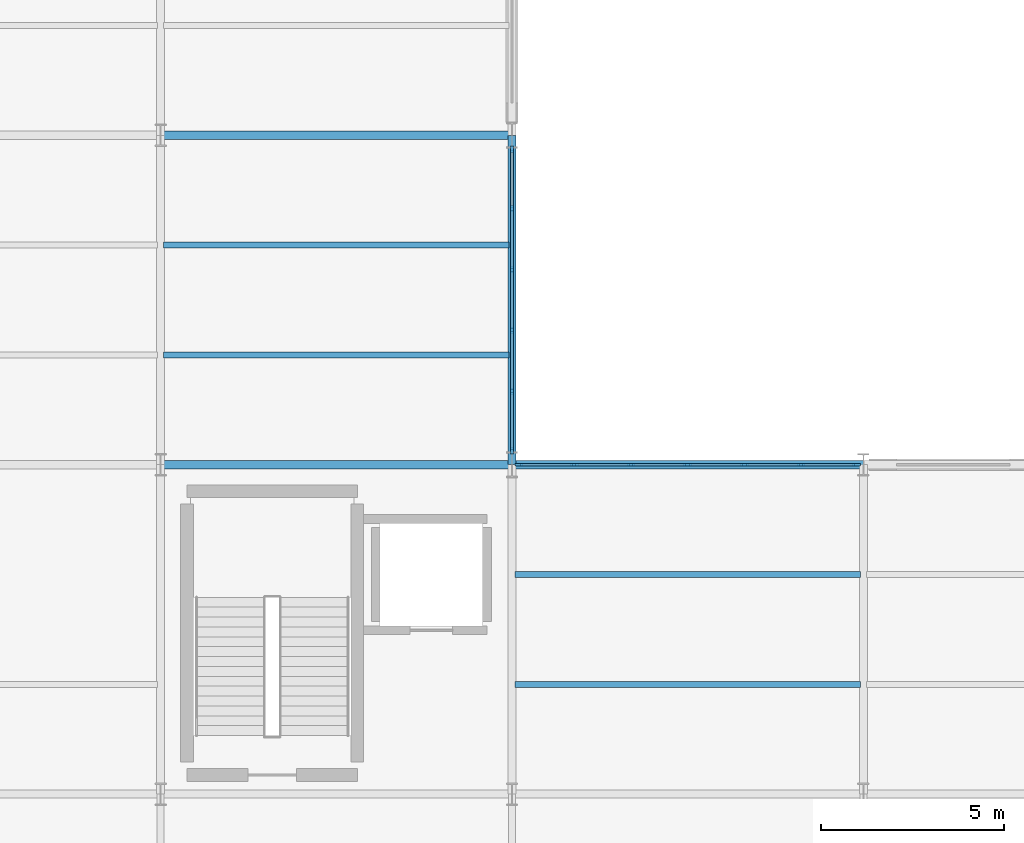
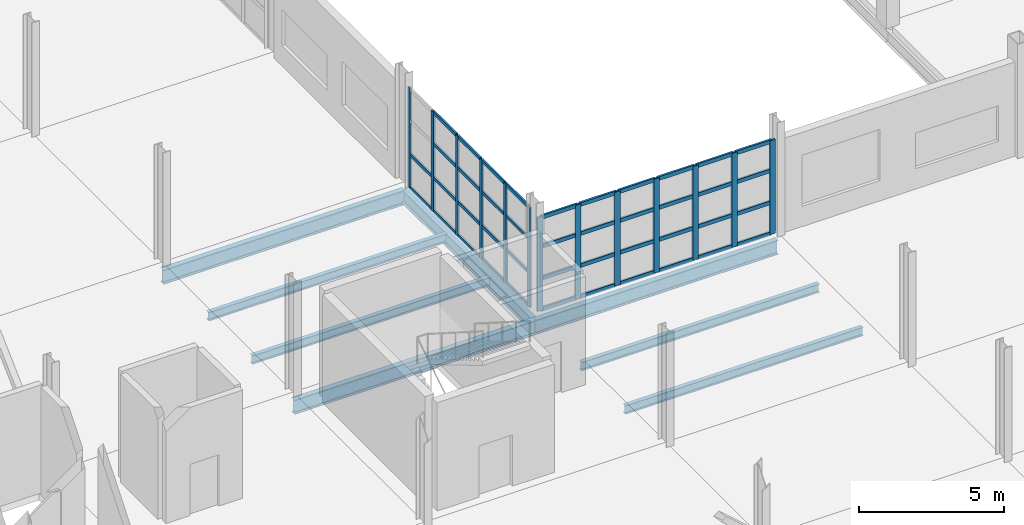
# One storey, part 20 of 120: 55 members, 8 beams, 2 elements without a shape of their own.
"""IFC4 building model written with IfcOpenShell, lengths in metres."""

from ifc_helpers import new_model, si_unit, direction, frame, origin, origin_2d, place, context, subcontext, project, spatial, rectangle, i_section, extrude, material, layer, layer_set, material_profile, profile_set, type_object, element, aggregate, save


model = new_model("IFC4")

# Units and contexts
model_context = context("Model", 3, precision=1e-05, world=origin(), true_north=direction((0.0, 1.0)))
body_context = subcontext(model_context, "Body", "Model", "MODEL_VIEW")
ifc_project = project(units=[si_unit("LENGTHUNIT", "METRE"), si_unit("AREAUNIT", "SQUARE_METRE"), si_unit("VOLUMEUNIT", "CUBIC_METRE"), si_unit("PLANEANGLEUNIT", "RADIAN"), si_unit("MASSUNIT", "GRAM", prefix="KILO")], contexts=[model_context])

# Site, building, storey
site_placement = place(None, origin())
site = spatial("IfcSite", under=ifc_project, at=site_placement, CompositionType="ELEMENT")
building_placement = place(site_placement, origin())
building = spatial("IfcBuilding", under=site, at=building_placement, Name="Zarnetskaya Central Station", CompositionType="ELEMENT")
storey_placement = place(building_placement, frame((0.0, 0.0, 5.39990234375)))
storey = spatial("IfcBuildingStorey", under=building, at=storey_placement, Name="L01", CompositionType="ELEMENT", Elevation=5.39990234375)

# Beams
ifc_material_1 = material(Name="Steel S355", Category="steel")
ifc_material_profile_1 = material_profile(ifc_material_1, i_section(OverallWidth=0.169921875, OverallDepth=0.360107421875, WebThickness=0.008056640625, FlangeThickness=0.0126953125, FilletRadius=0.01806640625, at=origin_2d()), Name="IPE 360")
ifc_profile_set_1 = profile_set([ifc_material_profile_1], Name="Steel S355")
beam_type_1 = type_object("IfcBeamType", Name="BM-SEC-360", PredefinedType="BEAM", material=ifc_profile_set_1)
for number, where, z_axis, x_axis, name in (
    (1, (28.8798828125, 25.199951171875, -0.4599609375), (1.0, 0.0, 0.0), (0.0, 1.0, 0.0), "Secondary floor beam SEC-L01-Z512-DE-45-1"),
    (2, (28.8798828125, 28.199951171875, -0.4599609375), (1.0, 0.0, 0.0), (0.0, 1.0, 0.0), "Secondary floor beam SEC-L01-Z512-DE-45-2"),
):
    element("IfcBeam", number, at=place(storey_placement, frame(where, z_axis=z_axis, x_axis=x_axis)), inside=storey, type_object=beam_type_1, Name=name, PredefinedType="BEAM", context=body_context, shape_type="SweptSolid", body=[
        extrude(i_section(OverallWidth=0.169921875, OverallDepth=0.360107421875, WebThickness=0.008056640625, FlangeThickness=0.0126953125, FilletRadius=0.01806640625, at=origin_2d()), origin(), (0.0, 0.0, 1.0), 9.440185546875),
    ])
for number, where, z_axis, x_axis, name in (
    (3, (38.47998046875, 16.199951171875, -0.4599609375), (1.0, 0.0, 0.0), (0.0, 1.0, 0.0), "Secondary floor beam SEC-L01-Z512-EF-34-1"),
    (4, (38.47998046875, 19.199951171875, -0.4599609375), (1.0, 0.0, 0.0), (0.0, 1.0, 0.0), "Secondary floor beam SEC-L01-Z512-EF-34-2"),
):
    element("IfcBeam", number, at=place(storey_placement, frame(where, z_axis=z_axis, x_axis=x_axis)), inside=storey, type_object=beam_type_1, Name=name, PredefinedType="BEAM", context=body_context, shape_type="SweptSolid", body=[
        extrude(i_section(OverallWidth=0.169921875, OverallDepth=0.360107421875, WebThickness=0.008056640625, FlangeThickness=0.0126953125, FilletRadius=0.01806640625, at=origin_2d()), origin(), (0.0, 0.0, 1.0), 9.43994140625),
    ])

# Curtain wall, members
ifc_material_2 = material(Name="Low-E insulated glass", Category="glass")
ifc_layer_1 = layer(ifc_material_2, 0.1640625, Name="Low-E insulated glass", Category="glass")
ifc_layer_set_1 = layer_set([ifc_layer_1], Name="Low-E insulated glass")
curtain_wall_type_1 = type_object("IfcCurtainWallType", Name="CW-SYS-07", PredefinedType="USERDEFINED", material=ifc_layer_set_1)
curtain_wall_1_placement = place(storey_placement, origin())
curtain_wall_1 = element("IfcCurtainWall", 5, at=curtain_wall_1_placement, inside=storey, type_object=curtain_wall_type_1, Name="Curtain wall CW-L01-009", ObjectType="CURTAIN WALL", PredefinedType="USERDEFINED")
ifc_material_3 = material(Name="Anodised aluminium", Category="aluminium")
ifc_material_profile_2 = material_profile(ifc_material_3, rectangle(XDim=0.070068359375, YDim=0.179931640625, at=origin_2d()), Name="ALU MULL 70x180")
ifc_profile_set_2 = profile_set([ifc_material_profile_2], Name="Anodised aluminium")
member_type_1 = type_object("IfcMemberType", Name="CW-MULL-180", PredefinedType="MULLION", material=ifc_profile_set_2)
member_1_placement = place(storey_placement, frame((38.39990234375, 30.81494140625, 0.0), z_axis=(0.0, 0.0, 1.0), x_axis=(1.0, 0.0, 0.0)))
member_1 = element("IfcMember", 6, at=member_1_placement, type_object=member_type_1, Name="CW-06 mullion 1", PredefinedType="MULLION", context=body_context, shape_type="SweptSolid", body=[
    extrude(rectangle(XDim=0.070068359375, YDim=0.179931640625, at=origin_2d()), origin(), (0.0, 0.0, 1.0), 4.2001953125),
])
member_2_placement = place(storey_placement, frame((38.39990234375, 29.18994140625, 0.0), z_axis=(0.0, 0.0, 1.0), x_axis=(1.0, 0.0, 0.0)))
member_2 = element("IfcMember", 7, at=member_2_placement, type_object=member_type_1, Name="CW-06 mullion 2", PredefinedType="MULLION", context=body_context, shape_type="SweptSolid", body=[
    extrude(rectangle(XDim=0.070068359375, YDim=0.179931640625, at=origin_2d()), origin(), (0.0, 0.0, 1.0), 4.2001953125),
])
member_3_placement = place(storey_placement, frame((38.39990234375, 27.530029296875, 0.0), z_axis=(0.0, 0.0, 1.0), x_axis=(1.0, 0.0, 0.0)))
member_3 = element("IfcMember", 8, at=member_3_placement, type_object=member_type_1, Name="CW-06 mullion 3", PredefinedType="MULLION", context=body_context, shape_type="SweptSolid", body=[
    extrude(rectangle(XDim=0.070068359375, YDim=0.179931640625, at=origin_2d()), origin(), (0.0, 0.0, 1.0), 4.2001953125),
])
member_4_placement = place(storey_placement, frame((38.39990234375, 25.8701171875, 0.0), z_axis=(0.0, 0.0, 1.0), x_axis=(1.0, 0.0, 0.0)))
member_4 = element("IfcMember", 9, at=member_4_placement, type_object=member_type_1, Name="CW-06 mullion 4", PredefinedType="MULLION", context=body_context, shape_type="SweptSolid", body=[
    extrude(rectangle(XDim=0.070068359375, YDim=0.179931640625, at=origin_2d()), origin(), (0.0, 0.0, 1.0), 4.2001953125),
])
member_5_placement = place(storey_placement, frame((38.39990234375, 24.2099609375, 0.0), z_axis=(0.0, 0.0, 1.0), x_axis=(1.0, 0.0, 0.0)))
member_5 = element("IfcMember", 10, at=member_5_placement, type_object=member_type_1, Name="CW-06 mullion 5", PredefinedType="MULLION", context=body_context, shape_type="SweptSolid", body=[
    extrude(rectangle(XDim=0.070068359375, YDim=0.179931640625, at=origin_2d()), origin(), (0.0, 0.0, 1.0), 4.2001953125),
])
member_6_placement = place(storey_placement, frame((38.39990234375, 22.5849609375, 0.0), z_axis=(0.0, 0.0, 1.0), x_axis=(1.0, 0.0, 0.0)))
member_6 = element("IfcMember", 11, at=member_6_placement, type_object=member_type_1, Name="CW-06 mullion 6", PredefinedType="MULLION", context=body_context, shape_type="SweptSolid", body=[
    extrude(rectangle(XDim=0.070068359375, YDim=0.179931640625, at=origin_2d()), origin(), (0.0, 0.0, 1.0), 4.2001953125),
])

ifc_layer_2 = layer(ifc_material_2, 0.16796875, Name="Low-E insulated glass", Category="glass")
ifc_layer_set_2 = layer_set([ifc_layer_2], Name="Low-E insulated glass")
curtain_wall_type_2 = type_object("IfcCurtainWallType", Name="CW-SYS-03", PredefinedType="USERDEFINED", material=ifc_layer_set_2)
curtain_wall_2_placement = place(storey_placement, origin())
curtain_wall_2 = element("IfcCurtainWall", 12, at=curtain_wall_2_placement, inside=storey, type_object=curtain_wall_type_2, Name="Curtain wall CW-L01-010", ObjectType="CURTAIN WALL", PredefinedType="USERDEFINED")
ifc_material_profile_3 = material_profile(ifc_material_3, rectangle(XDim=0.080078125, YDim=0.219970703125, at=origin_2d()), Name="ALU MULL 80x220")
ifc_profile_set_3 = profile_set([ifc_material_profile_3], Name="Anodised aluminium")
member_type_2 = type_object("IfcMemberType", Name="CW-MULL-220", PredefinedType="MULLION", material=ifc_profile_set_3)
member_7_placement = place(storey_placement, frame((38.590087890625, 22.199951171875, 0.0), z_axis=(0.0, 0.0, 1.0), x_axis=(0.0, 1.0, 0.0)))
member_7 = element("IfcMember", 13, at=member_7_placement, type_object=member_type_2, Name="CW-12 mullion 1", PredefinedType="MULLION", context=body_context, shape_type="SweptSolid", body=[
    extrude(rectangle(XDim=0.080078125, YDim=0.219970703125, at=origin_2d()), origin(), (0.0, 0.0, 1.0), 3.940185546875),
])
member_8_placement = place(storey_placement, frame((40.10009765625, 22.199951171875, 0.0), z_axis=(0.0, 0.0, 1.0), x_axis=(0.0, 1.0, 0.0)))
member_8 = element("IfcMember", 14, at=member_8_placement, type_object=member_type_2, Name="CW-12 mullion 2", PredefinedType="MULLION", context=body_context, shape_type="SweptSolid", body=[
    extrude(rectangle(XDim=0.080078125, YDim=0.219970703125, at=origin_2d()), origin(), (0.0, 0.0, 1.0), 3.940185546875),
])
member_9_placement = place(storey_placement, frame((41.64990234375, 22.199951171875, 0.0), z_axis=(0.0, 0.0, 1.0), x_axis=(0.0, 1.0, 0.0)))
member_9 = element("IfcMember", 15, at=member_9_placement, type_object=member_type_2, Name="CW-12 mullion 3", PredefinedType="MULLION", context=body_context, shape_type="SweptSolid", body=[
    extrude(rectangle(XDim=0.080078125, YDim=0.219970703125, at=origin_2d()), origin(), (0.0, 0.0, 1.0), 3.940185546875),
])
member_10_placement = place(storey_placement, frame((43.199951171875, 22.199951171875, 0.0), z_axis=(0.0, 0.0, 1.0), x_axis=(0.0, 1.0, 0.0)))
member_10 = element("IfcMember", 16, at=member_10_placement, type_object=member_type_2, Name="CW-12 mullion 4", PredefinedType="MULLION", context=body_context, shape_type="SweptSolid", body=[
    extrude(rectangle(XDim=0.080078125, YDim=0.219970703125, at=origin_2d()), origin(), (0.0, 0.0, 1.0), 3.940185546875),
])
member_11_placement = place(storey_placement, frame((44.75, 22.199951171875, 0.0), z_axis=(0.0, 0.0, 1.0), x_axis=(0.0, 1.0, 0.0)))
member_11 = element("IfcMember", 17, at=member_11_placement, type_object=member_type_2, Name="CW-12 mullion 5", PredefinedType="MULLION", context=body_context, shape_type="SweptSolid", body=[
    extrude(rectangle(XDim=0.080078125, YDim=0.219970703125, at=origin_2d()), origin(), (0.0, 0.0, 1.0), 3.940185546875),
])
member_12_placement = place(storey_placement, frame((46.300048828125, 22.199951171875, 0.0), z_axis=(0.0, 0.0, 1.0), x_axis=(0.0, 1.0, 0.0)))
member_12 = element("IfcMember", 18, at=member_12_placement, type_object=member_type_2, Name="CW-12 mullion 6", PredefinedType="MULLION", context=body_context, shape_type="SweptSolid", body=[
    extrude(rectangle(XDim=0.080078125, YDim=0.219970703125, at=origin_2d()), origin(), (0.0, 0.0, 1.0), 3.940185546875),
])
member_13_placement = place(storey_placement, frame((47.81005859375, 22.199951171875, 0.0), z_axis=(0.0, 0.0, 1.0), x_axis=(0.0, 1.0, 0.0)))
member_13 = element("IfcMember", 19, at=member_13_placement, type_object=member_type_2, Name="CW-12 mullion 7", PredefinedType="MULLION", context=body_context, shape_type="SweptSolid", body=[
    extrude(rectangle(XDim=0.080078125, YDim=0.219970703125, at=origin_2d()), origin(), (0.0, 0.0, 1.0), 3.940185546875),
])

# Member
ifc_material_profile_4 = material_profile(ifc_material_3, rectangle(XDim=0.070068359375, YDim=0.139892578125, at=origin_2d()), Name="ALU TRAN 70x140")
ifc_profile_set_4 = profile_set([ifc_material_profile_4], Name="Anodised aluminium")
member_type_3 = type_object("IfcMemberType", Name="CW-TRAN-140", PredefinedType="USERDEFINED", material=ifc_profile_set_4)
member_14_placement = place(storey_placement, frame((38.39990234375, 30.780029296875, 0.03515625), z_axis=(0.0, -1.0, 0.0), x_axis=(1.0, 0.0, 0.0)))
member_14 = element("IfcMember", 20, at=member_14_placement, type_object=member_type_3, Name="CW-06 transom 1.1", ObjectType="TRANSOM", PredefinedType="USERDEFINED", context=body_context, shape_type="SweptSolid", body=[
    extrude(rectangle(XDim=0.070068359375, YDim=0.139892578125, at=origin_2d()), origin(), (0.0, 0.0, 1.0), 1.554931640625),
])

member_15_placement = place(storey_placement, frame((38.39990234375, 30.780029296875, 1.427978515625), z_axis=(0.0, -1.0, 0.0), x_axis=(1.0, 0.0, 0.0)))
member_15 = element("IfcMember", 21, at=member_15_placement, type_object=member_type_3, Name="CW-06 transom 1.2", ObjectType="TRANSOM", PredefinedType="USERDEFINED", context=body_context, shape_type="SweptSolid", body=[
    extrude(rectangle(XDim=0.070068359375, YDim=0.139892578125, at=origin_2d()), origin(), (0.0, 0.0, 1.0), 1.554931640625),
])

member_16_placement = place(storey_placement, frame((38.39990234375, 29.155029296875, 0.03515625), z_axis=(0.0, -1.0, 0.0), x_axis=(1.0, 0.0, 0.0)))
member_16 = element("IfcMember", 22, at=member_16_placement, type_object=member_type_3, Name="CW-06 transom 2.1", ObjectType="TRANSOM", PredefinedType="USERDEFINED", context=body_context, shape_type="SweptSolid", body=[
    extrude(rectangle(XDim=0.070068359375, YDim=0.139892578125, at=origin_2d()), origin(), (0.0, 0.0, 1.0), 1.590087890625),
])

member_17_placement = place(storey_placement, frame((38.39990234375, 29.155029296875, 1.427978515625), z_axis=(0.0, -1.0, 0.0), x_axis=(1.0, 0.0, 0.0)))
member_17 = element("IfcMember", 23, at=member_17_placement, type_object=member_type_3, Name="CW-06 transom 2.2", ObjectType="TRANSOM", PredefinedType="USERDEFINED", context=body_context, shape_type="SweptSolid", body=[
    extrude(rectangle(XDim=0.070068359375, YDim=0.139892578125, at=origin_2d()), origin(), (0.0, 0.0, 1.0), 1.590087890625),
])

member_18_placement = place(storey_placement, frame((38.39990234375, 29.155029296875, 2.856201171875), z_axis=(0.0, -1.0, 0.0), x_axis=(1.0, 0.0, 0.0)))
member_18 = element("IfcMember", 24, at=member_18_placement, type_object=member_type_3, Name="CW-06 transom 2.3", ObjectType="TRANSOM", PredefinedType="USERDEFINED", context=body_context, shape_type="SweptSolid", body=[
    extrude(rectangle(XDim=0.070068359375, YDim=0.139892578125, at=origin_2d()), origin(), (0.0, 0.0, 1.0), 1.590087890625),
])

member_19_placement = place(storey_placement, frame((38.39990234375, 29.155029296875, 4.1650390625), z_axis=(0.0, -1.0, 0.0), x_axis=(1.0, 0.0, 0.0)))
member_19 = element("IfcMember", 25, at=member_19_placement, type_object=member_type_3, Name="CW-06 transom 2.4", ObjectType="TRANSOM", PredefinedType="USERDEFINED", context=body_context, shape_type="SweptSolid", body=[
    extrude(rectangle(XDim=0.070068359375, YDim=0.139892578125, at=origin_2d()), origin(), (0.0, 0.0, 1.0), 1.590087890625),
])

member_20_placement = place(storey_placement, frame((38.39990234375, 27.4951171875, 0.03515625), z_axis=(0.0, -1.0, 0.0), x_axis=(1.0, 0.0, 0.0)))
member_20 = element("IfcMember", 26, at=member_20_placement, type_object=member_type_3, Name="CW-06 transom 3.1", ObjectType="TRANSOM", PredefinedType="USERDEFINED", context=body_context, shape_type="SweptSolid", body=[
    extrude(rectangle(XDim=0.070068359375, YDim=0.139892578125, at=origin_2d()), origin(), (0.0, 0.0, 1.0), 1.590087890625),
])

member_21_placement = place(storey_placement, frame((38.39990234375, 27.4951171875, 1.427978515625), z_axis=(0.0, -1.0, 0.0), x_axis=(1.0, 0.0, 0.0)))
member_21 = element("IfcMember", 27, at=member_21_placement, type_object=member_type_3, Name="CW-06 transom 3.2", ObjectType="TRANSOM", PredefinedType="USERDEFINED", context=body_context, shape_type="SweptSolid", body=[
    extrude(rectangle(XDim=0.070068359375, YDim=0.139892578125, at=origin_2d()), origin(), (0.0, 0.0, 1.0), 1.590087890625),
])

member_22_placement = place(storey_placement, frame((38.39990234375, 27.4951171875, 2.856201171875), z_axis=(0.0, -1.0, 0.0), x_axis=(1.0, 0.0, 0.0)))
member_22 = element("IfcMember", 28, at=member_22_placement, type_object=member_type_3, Name="CW-06 transom 3.3", ObjectType="TRANSOM", PredefinedType="USERDEFINED", context=body_context, shape_type="SweptSolid", body=[
    extrude(rectangle(XDim=0.070068359375, YDim=0.139892578125, at=origin_2d()), origin(), (0.0, 0.0, 1.0), 1.590087890625),
])

member_23_placement = place(storey_placement, frame((38.39990234375, 27.4951171875, 4.1650390625), z_axis=(0.0, -1.0, 0.0), x_axis=(1.0, 0.0, 0.0)))
member_23 = element("IfcMember", 29, at=member_23_placement, type_object=member_type_3, Name="CW-06 transom 3.4", ObjectType="TRANSOM", PredefinedType="USERDEFINED", context=body_context, shape_type="SweptSolid", body=[
    extrude(rectangle(XDim=0.070068359375, YDim=0.139892578125, at=origin_2d()), origin(), (0.0, 0.0, 1.0), 1.590087890625),
])

member_24_placement = place(storey_placement, frame((38.39990234375, 25.8349609375, 0.03515625), z_axis=(0.0, -1.0, 0.0), x_axis=(1.0, 0.0, 0.0)))
member_24 = element("IfcMember", 30, at=member_24_placement, type_object=member_type_3, Name="CW-06 transom 4.1", ObjectType="TRANSOM", PredefinedType="USERDEFINED", context=body_context, shape_type="SweptSolid", body=[
    extrude(rectangle(XDim=0.070068359375, YDim=0.139892578125, at=origin_2d()), origin(), (0.0, 0.0, 1.0), 1.58984375),
])

member_25_placement = place(storey_placement, frame((38.39990234375, 25.8349609375, 1.427978515625), z_axis=(0.0, -1.0, 0.0), x_axis=(1.0, 0.0, 0.0)))
member_25 = element("IfcMember", 31, at=member_25_placement, type_object=member_type_3, Name="CW-06 transom 4.2", ObjectType="TRANSOM", PredefinedType="USERDEFINED", context=body_context, shape_type="SweptSolid", body=[
    extrude(rectangle(XDim=0.070068359375, YDim=0.139892578125, at=origin_2d()), origin(), (0.0, 0.0, 1.0), 1.58984375),
])

member_26_placement = place(storey_placement, frame((38.39990234375, 25.8349609375, 2.856201171875), z_axis=(0.0, -1.0, 0.0), x_axis=(1.0, 0.0, 0.0)))
member_26 = element("IfcMember", 32, at=member_26_placement, type_object=member_type_3, Name="CW-06 transom 4.3", ObjectType="TRANSOM", PredefinedType="USERDEFINED", context=body_context, shape_type="SweptSolid", body=[
    extrude(rectangle(XDim=0.070068359375, YDim=0.139892578125, at=origin_2d()), origin(), (0.0, 0.0, 1.0), 1.58984375),
])

member_27_placement = place(storey_placement, frame((38.39990234375, 25.8349609375, 4.1650390625), z_axis=(0.0, -1.0, 0.0), x_axis=(1.0, 0.0, 0.0)))
member_27 = element("IfcMember", 33, at=member_27_placement, type_object=member_type_3, Name="CW-06 transom 4.4", ObjectType="TRANSOM", PredefinedType="USERDEFINED", context=body_context, shape_type="SweptSolid", body=[
    extrude(rectangle(XDim=0.070068359375, YDim=0.139892578125, at=origin_2d()), origin(), (0.0, 0.0, 1.0), 1.58984375),
])

member_28_placement = place(storey_placement, frame((38.39990234375, 24.175048828125, 0.03515625), z_axis=(0.0, -1.0, 0.0), x_axis=(1.0, 0.0, 0.0)))
member_28 = element("IfcMember", 34, at=member_28_placement, type_object=member_type_3, Name="CW-06 transom 5.1", ObjectType="TRANSOM", PredefinedType="USERDEFINED", context=body_context, shape_type="SweptSolid", body=[
    extrude(rectangle(XDim=0.070068359375, YDim=0.139892578125, at=origin_2d()), origin(), (0.0, 0.0, 1.0), 1.554931640625),
])

member_29_placement = place(storey_placement, frame((38.39990234375, 24.175048828125, 1.427978515625), z_axis=(0.0, -1.0, 0.0), x_axis=(1.0, 0.0, 0.0)))
member_29 = element("IfcMember", 35, at=member_29_placement, type_object=member_type_3, Name="CW-06 transom 5.2", ObjectType="TRANSOM", PredefinedType="USERDEFINED", context=body_context, shape_type="SweptSolid", body=[
    extrude(rectangle(XDim=0.070068359375, YDim=0.139892578125, at=origin_2d()), origin(), (0.0, 0.0, 1.0), 1.554931640625),
])

member_30_placement = place(storey_placement, frame((38.39990234375, 24.175048828125, 2.856201171875), z_axis=(0.0, -1.0, 0.0), x_axis=(1.0, 0.0, 0.0)))
member_30 = element("IfcMember", 36, at=member_30_placement, type_object=member_type_3, Name="CW-06 transom 5.3", ObjectType="TRANSOM", PredefinedType="USERDEFINED", context=body_context, shape_type="SweptSolid", body=[
    extrude(rectangle(XDim=0.070068359375, YDim=0.139892578125, at=origin_2d()), origin(), (0.0, 0.0, 1.0), 1.554931640625),
])

member_31_placement = place(storey_placement, frame((38.39990234375, 24.175048828125, 4.1650390625), z_axis=(0.0, -1.0, 0.0), x_axis=(1.0, 0.0, 0.0)))
member_31 = element("IfcMember", 37, at=member_31_placement, type_object=member_type_3, Name="CW-06 transom 5.4", ObjectType="TRANSOM", PredefinedType="USERDEFINED", context=body_context, shape_type="SweptSolid", body=[
    extrude(rectangle(XDim=0.070068359375, YDim=0.139892578125, at=origin_2d()), origin(), (0.0, 0.0, 1.0), 1.554931640625),
])

aggregate(curtain_wall_1, [member_1, member_2, member_3, member_4, member_5, member_6, member_14, member_15, member_16, member_17, member_18, member_19, member_20, member_21, member_22, member_23, member_24, member_25, member_26, member_27, member_28, member_29, member_30, member_31])

ifc_material_profile_5 = material_profile(ifc_material_3, rectangle(XDim=0.080078125, YDim=0.159912109375, at=origin_2d()), Name="ALU TRAN 80x160")
ifc_profile_set_5 = profile_set([ifc_material_profile_5], Name="Anodised aluminium")
member_type_4 = type_object("IfcMemberType", Name="CW-TRAN-160", PredefinedType="USERDEFINED", material=ifc_profile_set_5)
member_32_placement = place(storey_placement, frame((38.6298828125, 22.199951171875, 0.0400390625), z_axis=(1.0, 0.0, 0.0), x_axis=(0.0, 1.0, 0.0)))
member_32 = element("IfcMember", 38, at=member_32_placement, type_object=member_type_4, Name="CW-12 transom 1.1", ObjectType="TRANSOM", PredefinedType="USERDEFINED", context=body_context, shape_type="SweptSolid", body=[
    extrude(rectangle(XDim=0.080078125, YDim=0.159912109375, at=origin_2d()), origin(), (0.0, 0.0, 1.0), 1.43017578125),
])

member_33_placement = place(storey_placement, frame((38.6298828125, 22.199951171875, 1.340087890625), z_axis=(1.0, 0.0, 0.0), x_axis=(0.0, 1.0, 0.0)))
member_33 = element("IfcMember", 39, at=member_33_placement, type_object=member_type_4, Name="CW-12 transom 1.2", ObjectType="TRANSOM", PredefinedType="USERDEFINED", context=body_context, shape_type="SweptSolid", body=[
    extrude(rectangle(XDim=0.080078125, YDim=0.159912109375, at=origin_2d()), origin(), (0.0, 0.0, 1.0), 1.43017578125),
])

member_34_placement = place(storey_placement, frame((38.6298828125, 22.199951171875, 2.67919921875), z_axis=(1.0, 0.0, 0.0), x_axis=(0.0, 1.0, 0.0)))
member_34 = element("IfcMember", 40, at=member_34_placement, type_object=member_type_4, Name="CW-12 transom 1.3", ObjectType="TRANSOM", PredefinedType="USERDEFINED", context=body_context, shape_type="SweptSolid", body=[
    extrude(rectangle(XDim=0.080078125, YDim=0.159912109375, at=origin_2d()), origin(), (0.0, 0.0, 1.0), 1.43017578125),
])

member_35_placement = place(storey_placement, frame((38.6298828125, 22.199951171875, 3.900146484375), z_axis=(1.0, 0.0, 0.0), x_axis=(0.0, 1.0, 0.0)))
member_35 = element("IfcMember", 41, at=member_35_placement, type_object=member_type_4, Name="CW-12 transom 1.4", ObjectType="TRANSOM", PredefinedType="USERDEFINED", context=body_context, shape_type="SweptSolid", body=[
    extrude(rectangle(XDim=0.080078125, YDim=0.159912109375, at=origin_2d()), origin(), (0.0, 0.0, 1.0), 1.43017578125),
])

member_36_placement = place(storey_placement, frame((40.139892578125, 22.199951171875, 0.0400390625), z_axis=(1.0, 0.0, 0.0), x_axis=(0.0, 1.0, 0.0)))
member_36 = element("IfcMember", 42, at=member_36_placement, type_object=member_type_4, Name="CW-12 transom 2.1", ObjectType="TRANSOM", PredefinedType="USERDEFINED", context=body_context, shape_type="SweptSolid", body=[
    extrude(rectangle(XDim=0.080078125, YDim=0.159912109375, at=origin_2d()), origin(), (0.0, 0.0, 1.0), 1.47021484375),
])

member_37_placement = place(storey_placement, frame((40.139892578125, 22.199951171875, 1.340087890625), z_axis=(1.0, 0.0, 0.0), x_axis=(0.0, 1.0, 0.0)))
member_37 = element("IfcMember", 43, at=member_37_placement, type_object=member_type_4, Name="CW-12 transom 2.2", ObjectType="TRANSOM", PredefinedType="USERDEFINED", context=body_context, shape_type="SweptSolid", body=[
    extrude(rectangle(XDim=0.080078125, YDim=0.159912109375, at=origin_2d()), origin(), (0.0, 0.0, 1.0), 1.47021484375),
])

member_38_placement = place(storey_placement, frame((40.139892578125, 22.199951171875, 2.67919921875), z_axis=(1.0, 0.0, 0.0), x_axis=(0.0, 1.0, 0.0)))
member_38 = element("IfcMember", 44, at=member_38_placement, type_object=member_type_4, Name="CW-12 transom 2.3", ObjectType="TRANSOM", PredefinedType="USERDEFINED", context=body_context, shape_type="SweptSolid", body=[
    extrude(rectangle(XDim=0.080078125, YDim=0.159912109375, at=origin_2d()), origin(), (0.0, 0.0, 1.0), 1.47021484375),
])

member_39_placement = place(storey_placement, frame((40.139892578125, 22.199951171875, 3.900146484375), z_axis=(1.0, 0.0, 0.0), x_axis=(0.0, 1.0, 0.0)))
member_39 = element("IfcMember", 45, at=member_39_placement, type_object=member_type_4, Name="CW-12 transom 2.4", ObjectType="TRANSOM", PredefinedType="USERDEFINED", context=body_context, shape_type="SweptSolid", body=[
    extrude(rectangle(XDim=0.080078125, YDim=0.159912109375, at=origin_2d()), origin(), (0.0, 0.0, 1.0), 1.47021484375),
])

member_40_placement = place(storey_placement, frame((41.68994140625, 22.199951171875, 0.0400390625), z_axis=(1.0, 0.0, 0.0), x_axis=(0.0, 1.0, 0.0)))
member_40 = element("IfcMember", 46, at=member_40_placement, type_object=member_type_4, Name="CW-12 transom 3.1", ObjectType="TRANSOM", PredefinedType="USERDEFINED", context=body_context, shape_type="SweptSolid", body=[
    extrude(rectangle(XDim=0.080078125, YDim=0.159912109375, at=origin_2d()), origin(), (0.0, 0.0, 1.0), 1.469970703125),
])

member_41_placement = place(storey_placement, frame((41.68994140625, 22.199951171875, 1.340087890625), z_axis=(1.0, 0.0, 0.0), x_axis=(0.0, 1.0, 0.0)))
member_41 = element("IfcMember", 47, at=member_41_placement, type_object=member_type_4, Name="CW-12 transom 3.2", ObjectType="TRANSOM", PredefinedType="USERDEFINED", context=body_context, shape_type="SweptSolid", body=[
    extrude(rectangle(XDim=0.080078125, YDim=0.159912109375, at=origin_2d()), origin(), (0.0, 0.0, 1.0), 1.469970703125),
])

member_42_placement = place(storey_placement, frame((41.68994140625, 22.199951171875, 2.67919921875), z_axis=(1.0, 0.0, 0.0), x_axis=(0.0, 1.0, 0.0)))
member_42 = element("IfcMember", 48, at=member_42_placement, type_object=member_type_4, Name="CW-12 transom 3.3", ObjectType="TRANSOM", PredefinedType="USERDEFINED", context=body_context, shape_type="SweptSolid", body=[
    extrude(rectangle(XDim=0.080078125, YDim=0.159912109375, at=origin_2d()), origin(), (0.0, 0.0, 1.0), 1.469970703125),
])

member_43_placement = place(storey_placement, frame((41.68994140625, 22.199951171875, 3.900146484375), z_axis=(1.0, 0.0, 0.0), x_axis=(0.0, 1.0, 0.0)))
member_43 = element("IfcMember", 49, at=member_43_placement, type_object=member_type_4, Name="CW-12 transom 3.4", ObjectType="TRANSOM", PredefinedType="USERDEFINED", context=body_context, shape_type="SweptSolid", body=[
    extrude(rectangle(XDim=0.080078125, YDim=0.159912109375, at=origin_2d()), origin(), (0.0, 0.0, 1.0), 1.469970703125),
])

member_44_placement = place(storey_placement, frame((43.239990234375, 22.199951171875, 0.0400390625), z_axis=(1.0, 0.0, 0.0), x_axis=(0.0, 1.0, 0.0)))
member_44 = element("IfcMember", 50, at=member_44_placement, type_object=member_type_4, Name="CW-12 transom 4.1", ObjectType="TRANSOM", PredefinedType="USERDEFINED", context=body_context, shape_type="SweptSolid", body=[
    extrude(rectangle(XDim=0.080078125, YDim=0.159912109375, at=origin_2d()), origin(), (0.0, 0.0, 1.0), 1.469970703125),
])

member_45_placement = place(storey_placement, frame((43.239990234375, 22.199951171875, 1.340087890625), z_axis=(1.0, 0.0, 0.0), x_axis=(0.0, 1.0, 0.0)))
member_45 = element("IfcMember", 51, at=member_45_placement, type_object=member_type_4, Name="CW-12 transom 4.2", ObjectType="TRANSOM", PredefinedType="USERDEFINED", context=body_context, shape_type="SweptSolid", body=[
    extrude(rectangle(XDim=0.080078125, YDim=0.159912109375, at=origin_2d()), origin(), (0.0, 0.0, 1.0), 1.469970703125),
])

member_46_placement = place(storey_placement, frame((43.239990234375, 22.199951171875, 2.67919921875), z_axis=(1.0, 0.0, 0.0), x_axis=(0.0, 1.0, 0.0)))
member_46 = element("IfcMember", 52, at=member_46_placement, type_object=member_type_4, Name="CW-12 transom 4.3", ObjectType="TRANSOM", PredefinedType="USERDEFINED", context=body_context, shape_type="SweptSolid", body=[
    extrude(rectangle(XDim=0.080078125, YDim=0.159912109375, at=origin_2d()), origin(), (0.0, 0.0, 1.0), 1.469970703125),
])

member_47_placement = place(storey_placement, frame((43.239990234375, 22.199951171875, 3.900146484375), z_axis=(1.0, 0.0, 0.0), x_axis=(0.0, 1.0, 0.0)))
member_47 = element("IfcMember", 53, at=member_47_placement, type_object=member_type_4, Name="CW-12 transom 4.4", ObjectType="TRANSOM", PredefinedType="USERDEFINED", context=body_context, shape_type="SweptSolid", body=[
    extrude(rectangle(XDim=0.080078125, YDim=0.159912109375, at=origin_2d()), origin(), (0.0, 0.0, 1.0), 1.469970703125),
])

member_48_placement = place(storey_placement, frame((44.7900390625, 22.199951171875, 0.0400390625), z_axis=(1.0, 0.0, 0.0), x_axis=(0.0, 1.0, 0.0)))
member_48 = element("IfcMember", 54, at=member_48_placement, type_object=member_type_4, Name="CW-12 transom 5.1", ObjectType="TRANSOM", PredefinedType="USERDEFINED", context=body_context, shape_type="SweptSolid", body=[
    extrude(rectangle(XDim=0.080078125, YDim=0.159912109375, at=origin_2d()), origin(), (0.0, 0.0, 1.0), 1.469970703125),
])

member_49_placement = place(storey_placement, frame((44.7900390625, 22.199951171875, 1.340087890625), z_axis=(1.0, 0.0, 0.0), x_axis=(0.0, 1.0, 0.0)))
member_49 = element("IfcMember", 55, at=member_49_placement, type_object=member_type_4, Name="CW-12 transom 5.2", ObjectType="TRANSOM", PredefinedType="USERDEFINED", context=body_context, shape_type="SweptSolid", body=[
    extrude(rectangle(XDim=0.080078125, YDim=0.159912109375, at=origin_2d()), origin(), (0.0, 0.0, 1.0), 1.469970703125),
])

member_50_placement = place(storey_placement, frame((44.7900390625, 22.199951171875, 2.67919921875), z_axis=(1.0, 0.0, 0.0), x_axis=(0.0, 1.0, 0.0)))
member_50 = element("IfcMember", 56, at=member_50_placement, type_object=member_type_4, Name="CW-12 transom 5.3", ObjectType="TRANSOM", PredefinedType="USERDEFINED", context=body_context, shape_type="SweptSolid", body=[
    extrude(rectangle(XDim=0.080078125, YDim=0.159912109375, at=origin_2d()), origin(), (0.0, 0.0, 1.0), 1.469970703125),
])

member_51_placement = place(storey_placement, frame((44.7900390625, 22.199951171875, 3.900146484375), z_axis=(1.0, 0.0, 0.0), x_axis=(0.0, 1.0, 0.0)))
member_51 = element("IfcMember", 57, at=member_51_placement, type_object=member_type_4, Name="CW-12 transom 5.4", ObjectType="TRANSOM", PredefinedType="USERDEFINED", context=body_context, shape_type="SweptSolid", body=[
    extrude(rectangle(XDim=0.080078125, YDim=0.159912109375, at=origin_2d()), origin(), (0.0, 0.0, 1.0), 1.469970703125),
])

member_52_placement = place(storey_placement, frame((46.340087890625, 22.199951171875, 0.0400390625), z_axis=(1.0, 0.0, 0.0), x_axis=(0.0, 1.0, 0.0)))
member_52 = element("IfcMember", 58, at=member_52_placement, type_object=member_type_4, Name="CW-12 transom 6.1", ObjectType="TRANSOM", PredefinedType="USERDEFINED", context=body_context, shape_type="SweptSolid", body=[
    extrude(rectangle(XDim=0.080078125, YDim=0.159912109375, at=origin_2d()), origin(), (0.0, 0.0, 1.0), 1.429931640625),
])

member_53_placement = place(storey_placement, frame((46.340087890625, 22.199951171875, 1.340087890625), z_axis=(1.0, 0.0, 0.0), x_axis=(0.0, 1.0, 0.0)))
member_53 = element("IfcMember", 59, at=member_53_placement, type_object=member_type_4, Name="CW-12 transom 6.2", ObjectType="TRANSOM", PredefinedType="USERDEFINED", context=body_context, shape_type="SweptSolid", body=[
    extrude(rectangle(XDim=0.080078125, YDim=0.159912109375, at=origin_2d()), origin(), (0.0, 0.0, 1.0), 1.429931640625),
])

member_54_placement = place(storey_placement, frame((46.340087890625, 22.199951171875, 2.67919921875), z_axis=(1.0, 0.0, 0.0), x_axis=(0.0, 1.0, 0.0)))
member_54 = element("IfcMember", 60, at=member_54_placement, type_object=member_type_4, Name="CW-12 transom 6.3", ObjectType="TRANSOM", PredefinedType="USERDEFINED", context=body_context, shape_type="SweptSolid", body=[
    extrude(rectangle(XDim=0.080078125, YDim=0.159912109375, at=origin_2d()), origin(), (0.0, 0.0, 1.0), 1.429931640625),
])

member_55_placement = place(storey_placement, frame((46.340087890625, 22.199951171875, 3.900146484375), z_axis=(1.0, 0.0, 0.0), x_axis=(0.0, 1.0, 0.0)))
member_55 = element("IfcMember", 61, at=member_55_placement, type_object=member_type_4, Name="CW-12 transom 6.4", ObjectType="TRANSOM", PredefinedType="USERDEFINED", context=body_context, shape_type="SweptSolid", body=[
    extrude(rectangle(XDim=0.080078125, YDim=0.159912109375, at=origin_2d()), origin(), (0.0, 0.0, 1.0), 1.429931640625),
])

aggregate(curtain_wall_2, [member_7, member_8, member_9, member_10, member_11, member_12, member_13, member_32, member_33, member_34, member_35, member_36, member_37, member_38, member_39, member_40, member_41, member_42, member_43, member_44, member_45, member_46, member_47, member_48, member_49, member_50, member_51, member_52, member_53, member_54, member_55])

# Beams
ifc_material_profile_6 = material_profile(ifc_material_1, i_section(OverallWidth=0.2099609375, OverallDepth=0.550048828125, WebThickness=0.010986328125, FlangeThickness=0.01708984375, FilletRadius=0.02392578125, at=origin_2d()), Name="IPE 550")
ifc_profile_set_6 = profile_set([ifc_material_profile_6], Name="Steel S355")
beam_type_2 = type_object("IfcBeamType", Name="GD-FLR-550", PredefinedType="USERDEFINED", material=ifc_profile_set_6)
beam_1_placement = place(storey_placement, frame((38.39990234375, 22.199951171875, -0.554931640625), z_axis=(0.0, 1.0, 0.0), x_axis=(-1.0, 0.0, 0.0)))
element("IfcBeam", 62, at=beam_1_placement, inside=storey, type_object=beam_type_2, Name="Grid girder GY-L01-E-45", ObjectType="GIRDER", PredefinedType="USERDEFINED", context=body_context, shape_type="SweptSolid", body=[
    extrude(i_section(OverallWidth=0.2099609375, OverallDepth=0.550048828125, WebThickness=0.010986328125, FlangeThickness=0.01708984375, FilletRadius=0.02392578125, at=origin_2d()), origin(), (0.0, 0.0, 1.0), 9.0),
])
ifc_material_profile_7 = material_profile(ifc_material_1, i_section(OverallWidth=0.219970703125, OverallDepth=0.60009765625, WebThickness=0.011962890625, FlangeThickness=0.01904296875, FilletRadius=0.02392578125, at=origin_2d()), Name="IPE 600")
ifc_profile_set_7 = profile_set([ifc_material_profile_7], Name="Steel S355")
beam_type_3 = type_object("IfcBeamType", Name="GD-FLR-600", PredefinedType="USERDEFINED", material=ifc_profile_set_7)
for number, where, z_axis, x_axis, name in (
    (63, (28.800048828125, 22.199951171875, -0.579833984375), (1.0, 0.0, 0.0), (0.0, 1.0, 0.0), "Grid girder GX-L01-4-DE"),
    (64, (28.800048828125, 31.199951171875, -0.579833984375), (1.0, 0.0, 0.0), (0.0, 1.0, 0.0), "Grid girder GX-L01-5-DE"),
):
    element("IfcBeam", number, at=place(storey_placement, frame(where, z_axis=z_axis, x_axis=x_axis)), inside=storey, type_object=beam_type_3, Name=name, ObjectType="GIRDER", PredefinedType="USERDEFINED", context=body_context, shape_type="SweptSolid", body=[
        extrude(i_section(OverallWidth=0.219970703125, OverallDepth=0.60009765625, WebThickness=0.011962890625, FlangeThickness=0.01904296875, FilletRadius=0.02392578125, at=origin_2d()), origin(), (0.0, 0.0, 1.0), 9.599853515625),
    ])
beam_2_placement = place(storey_placement, frame((38.39990234375, 22.199951171875, -0.579833984375), z_axis=(1.0, 0.0, 0.0), x_axis=(0.0, 1.0, 0.0)))
element("IfcBeam", 65, at=beam_2_placement, inside=storey, type_object=beam_type_3, Name="Grid girder GX-L01-4-EF", ObjectType="GIRDER", PredefinedType="USERDEFINED", context=body_context, shape_type="SweptSolid", body=[
    extrude(i_section(OverallWidth=0.219970703125, OverallDepth=0.60009765625, WebThickness=0.011962890625, FlangeThickness=0.01904296875, FilletRadius=0.02392578125, at=origin_2d()), origin(), (0.0, 0.0, 1.0), 9.60009765625),
])

save(model, "model.ifc")
